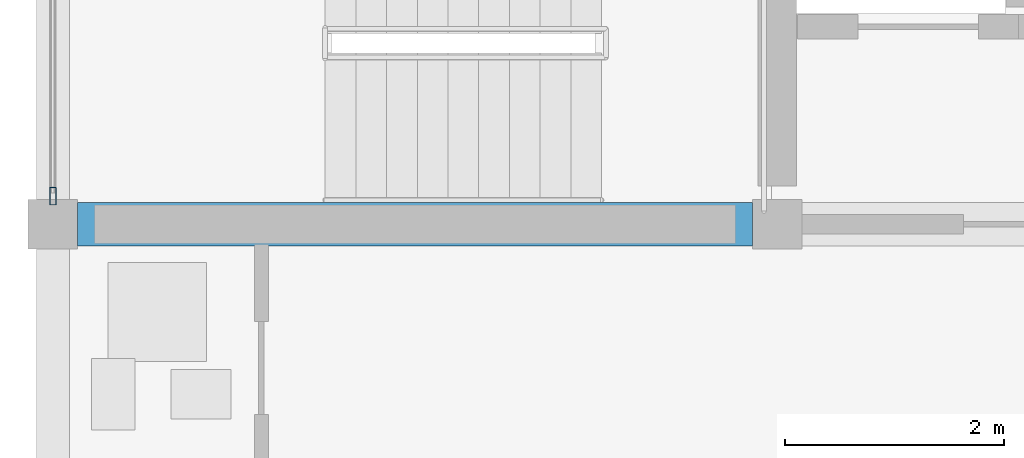
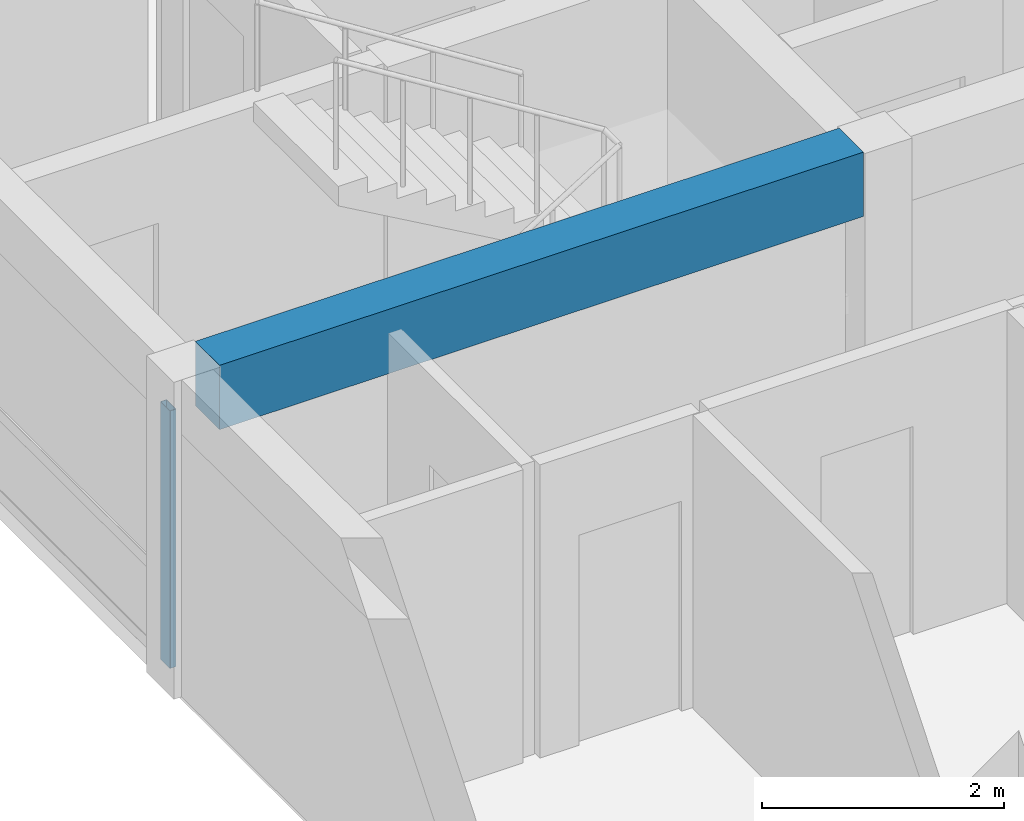
# One storey, part 3 of 52: 1 beam, 1 member, 1 element without a shape of its own.
"""IFC4 building model written with IfcOpenShell, lengths in metres."""

from ifc_helpers import new_model, si_unit, direction, frame, origin, origin_2d, place, context, subcontext, project, spatial, rectangle, hollow_rectangle, extrude, material, material_profile, profile_set, type_object, element, aggregate, save


model = new_model("IFC4")

# Units and contexts
model_context = context("Model", 3, precision=1e-05, world=origin(), true_north=direction((0.0, 1.0)))
body_context = subcontext(model_context, "Body", "Model", "MODEL_VIEW")
ifc_project = project(units=[si_unit("LENGTHUNIT", "METRE"), si_unit("AREAUNIT", "SQUARE_METRE"), si_unit("VOLUMEUNIT", "CUBIC_METRE"), si_unit("PLANEANGLEUNIT", "RADIAN"), si_unit("MASSUNIT", "GRAM", prefix="KILO")], contexts=[model_context])

# Site, building, storey
site_placement = place(None, origin())
site = spatial("IfcSite", under=ifc_project, at=site_placement, CompositionType="ELEMENT")
building_placement = place(site_placement, origin())
building = spatial("IfcBuilding", under=site, at=building_placement, Name="Kernevlak Ridge Housing Community", CompositionType="ELEMENT")
storey_placement = place(building_placement, frame((0.0, 0.0, 11.60009765625)))
storey = spatial("IfcBuildingStorey", under=building, at=storey_placement, Name="L03", CompositionType="ELEMENT", Elevation=11.60009765625)

# Beam
ifc_material_1 = material(Name="Concrete C35/45", Category="concrete")
ifc_material_profile_1 = material_profile(ifc_material_1, rectangle(XDim=0.39990234375, YDim=0.64990234375, at=origin_2d()), Name="RC 400x650")
ifc_profile_set_1 = profile_set([ifc_material_profile_1], Name="Concrete C35/45")
beam_type = type_object("IfcBeamType", Name="B-03", PredefinedType="T_BEAM", material=ifc_profile_set_1)
beam_placement = place(storey_placement, frame((15.824951171875, 22.199951171875, 2.875), z_axis=(1.0, 0.0, 0.0), x_axis=(0.0, 1.0, 0.0)))
element("IfcBeam", 1, at=beam_placement, inside=storey, type_object=beam_type, Name="Beam B-03 L03 1392", PredefinedType="T_BEAM", context=body_context, shape_type="SweptSolid", body=[
    extrude(rectangle(XDim=0.39990234375, YDim=0.64990234375, at=origin_2d()), origin(), (0.0, 0.0, 1.0), 6.150146484375),
])

# Curtain wall, member
ifc_material_2 = material(Name="Aluminium EN AW-6060 anodised and laminated glass", Category="aluminium")
curtain_wall_type = type_object("IfcCurtainWallType", Name="CW-10", PredefinedType="NOTDEFINED", material=ifc_material_2)
curtain_wall_placement = place(storey_placement, origin())
curtain_wall = element("IfcCurtainWall", 2, at=curtain_wall_placement, inside=storey, type_object=curtain_wall_type, Name="Curtain wall CW-10 CW-L03-148", PredefinedType="NOTDEFINED")
ifc_material_3 = material(Name="Aluminium EN AW-6060 anodised", Category="aluminium")
ifc_material_profile_2 = material_profile(ifc_material_3, hollow_rectangle(XDim=0.06005859375, YDim=0.159912109375, WallThickness=0.00390625, InnerFilletRadius=0.001953125, OuterFilletRadius=0.00390625, at=origin_2d()), Name="ALU 60x160x4")
ifc_profile_set_2 = profile_set([ifc_material_profile_2], Name="Aluminium EN AW-6060 anodised")
member_type = type_object("IfcMemberType", Name="MU-02", PredefinedType="MULLION", material=ifc_profile_set_2)
member_placement = place(storey_placement, frame((15.60009765625, 22.455078125, 0.0), z_axis=(0.0, 0.0, 1.0), x_axis=(-1.0, 0.0, 0.0)))
member = element("IfcMember", 3, at=member_placement, type_object=member_type, Name="CW-10 mullion 1", PredefinedType="MULLION", context=body_context, shape_type="SweptSolid", body=[
    extrude(hollow_rectangle(XDim=0.06005859375, YDim=0.159912109375, WallThickness=0.00390625, InnerFilletRadius=0.001953125, OuterFilletRadius=0.00390625, at=origin_2d()), origin(), (0.0, 0.0, 1.0), 2.599853515625),
])
aggregate(curtain_wall, [member])

save(model, "model.ifc")
